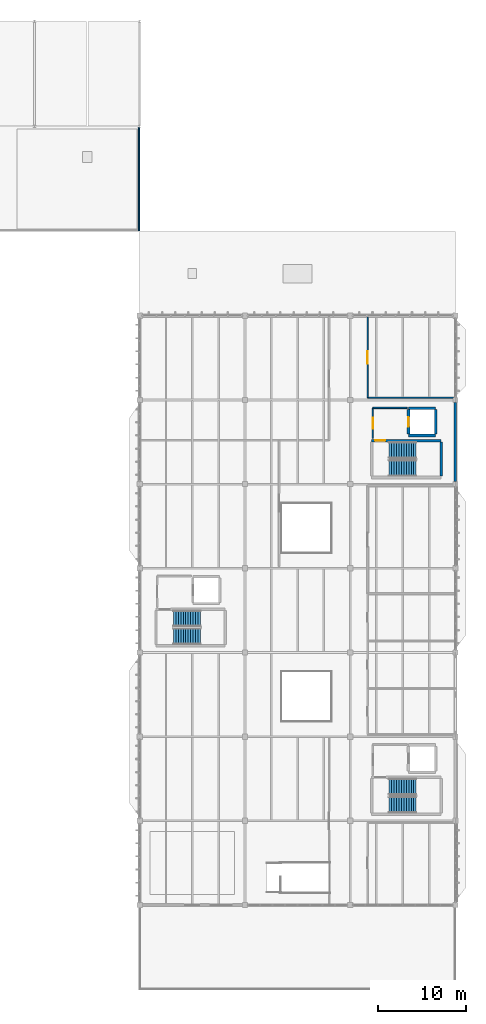
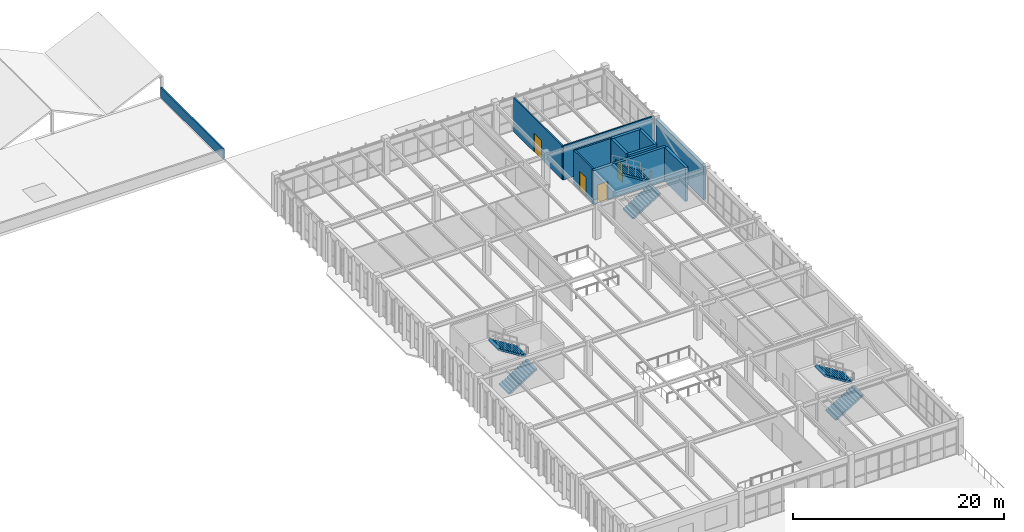
# One storey, part 75 of 83: 12 walls, 6 stair flights, 4 doors, 4 openings, 3 elements without a shape of their own.
"""IFC4 building model written with IfcOpenShell, lengths in metres."""

import ifcopenshell
import ifcopenshell.guid

model = None  # the IFC model being written
_history = None  # IfcOwnerHistory: only IFC2X3 demands one
_inside = {}  # id of a spatial element -> (the spatial element, [elements in it])
_under = {}  # id of a project, library or spatial element -> (it, [spatial elements below it])
_declared = {}  # id of a project -> (the project, [libraries it declares])
_typed = {}  # id of a type object -> (the type object, [elements of that type])
_made_of = {}  # id of a material, layer set ... -> (it, [elements and type objects made of it])


def new_model(schema):
    """Start an empty IFC model of exactly this schema.

    Asked for "IFC4X3", IfcOpenShell would pick the latest addendum, in which some entities
    have other attributes; the version numbers below select the first issue.
    IFC2X3 requires an IfcOwnerHistory on every rooted entity: one is made here for all.
    """
    global model, _history
    if schema == "IFC4X3":
        model = ifcopenshell.file(schema_version=(4, 3, 0, 0))
    else:
        model = ifcopenshell.file(schema=schema)
    _inside.clear()
    _under.clear()
    _declared.clear()
    _typed.clear()
    _made_of.clear()
    _history = None
    if model.schema == "IFC2X3":
        org = make("IfcOrganization", Name="unknown")
        user = make(
            "IfcPersonAndOrganization",
            ThePerson=make("IfcPerson", FamilyName="unknown"),
            TheOrganization=org,
        )
        app = make(
            "IfcApplication",
            ApplicationDeveloper=org,
            Version="unknown",
            ApplicationFullName="unknown",
            ApplicationIdentifier="unknown",
        )
        _history = make(
            "IfcOwnerHistory",
            OwningUser=user,
            OwningApplication=app,
            ChangeAction="ADDED",
            CreationDate=0,
        )
    return model


def make(cls, **values):
    """One entity of the class cls with the attributes given. An attribute that is None is left unset."""
    return model.create_entity(
        cls, **{name: value for name, value in values.items() if value is not None}
    )


def rooted(cls, **values):
    """An entity with a GlobalId (a new one), such as an element, a storey or a relation."""
    return make(cls, GlobalId=ifcopenshell.guid.new(), OwnerHistory=_history, **values)


def si_unit(unit_type, name, prefix=None):
    """IfcSIUnit, for example si_unit("LENGTHUNIT", "METRE", prefix="MILLI")."""
    return make("IfcSIUnit", UnitType=unit_type, Prefix=prefix, Name=name)


def assignment(units):
    """IfcUnitAssignment: the units of a project."""
    return None if units is None else make("IfcUnitAssignment", Units=units)


def point(xyz):
    """IfcCartesianPoint."""
    return None if xyz is None else make("IfcCartesianPoint", Coordinates=xyz)


def direction(xyz):
    """IfcDirection."""
    return None if xyz is None else make("IfcDirection", DirectionRatios=xyz)


def frame(location, z_axis=None, x_axis=None):
    """IfcAxis2Placement3D, a coordinate frame: its origin and axes. An axis left out is left unset."""
    return make(
        "IfcAxis2Placement3D",
        Location=point(location),
        Axis=direction(z_axis),
        RefDirection=direction(x_axis),
    )


def frame_2d(location, x_axis=None):
    """IfcAxis2Placement2D, a coordinate frame in the plane: its origin and x axis."""
    return make(
        "IfcAxis2Placement2D", Location=point(location), RefDirection=direction(x_axis)
    )


def origin():
    """The frame at (0, 0, 0) with its axes left unset."""
    return frame((0.0, 0.0, 0.0))


def place(relative_to, where):
    """IfcLocalPlacement: puts the frame where relative to a parent placement (None: the world)."""
    return make(
        "IfcLocalPlacement", PlacementRelTo=relative_to, RelativePlacement=where
    )


def context(
    kind, dimensions, precision=None, world=None, true_north=None, identifier=None
):
    """IfcGeometricRepresentationContext, for example the 3D "Model" context."""
    return make(
        "IfcGeometricRepresentationContext",
        ContextIdentifier=identifier,
        ContextType=kind,
        CoordinateSpaceDimension=dimensions,
        Precision=precision,
        WorldCoordinateSystem=world,
        TrueNorth=true_north,
    )


def subcontext(parent, identifier, kind, view, scale=None):
    """IfcGeometricRepresentationSubContext, for example "Body" below "Model"."""
    return make(
        "IfcGeometricRepresentationSubContext",
        ContextIdentifier=identifier,
        ContextType=kind,
        ParentContext=parent,
        TargetScale=scale,
        TargetView=view,
    )


def project(units=None, contexts=None):
    """IfcProject with its units and contexts."""
    return rooted(
        "IfcProject",
        Name="project",
        RepresentationContexts=contexts,
        UnitsInContext=assignment(units),
    )


def spatial(cls, under=None, at=None, **own):
    """A site, building, storey or space (cls), placed at a placement, below another one or the project."""
    s = rooted(cls, ObjectPlacement=at, **own)
    if under is not None:
        _under.setdefault(under.id(), (under, []))[1].append(s)
    return s


def polyline(points):
    """IfcPolyline through the points."""
    return make("IfcPolyline", Points=[point(p) for p in points])


def profile(cls, at=None, kind="AREA", **sizes):
    """A parametric profile (cls). Its sizes go by their IFC names, for example OverallWidth=200.0."""
    return make(cls, ProfileType=kind, Position=at, **sizes)


def rectangle(**sizes):
    """IfcRectangleProfileDef."""
    return profile("IfcRectangleProfileDef", **sizes)


def outline(outer, holes=None, kind="AREA"):
    """IfcArbitraryClosedProfileDef: a profile drawn as a closed curve; with holes, ...WithVoids."""
    if holes is None:
        return make("IfcArbitraryClosedProfileDef", ProfileType=kind, OuterCurve=outer)
    return make(
        "IfcArbitraryProfileDefWithVoids",
        ProfileType=kind,
        OuterCurve=outer,
        InnerCurves=holes,
    )


def extrude(swept, where, along, depth):
    """IfcExtrudedAreaSolid: the profile swept, set in the frame where, extruded along a direction by depth."""
    return make(
        "IfcExtrudedAreaSolid",
        SweptArea=swept,
        Position=where,
        ExtrudedDirection=direction(along),
        Depth=depth,
    )


def shape(context_of_items, identifier, shape_type, items):
    """IfcShapeRepresentation: the items that make up one representation, for example the "Body"."""
    return make(
        "IfcShapeRepresentation",
        ContextOfItems=context_of_items,
        RepresentationIdentifier=identifier,
        RepresentationType=shape_type,
        Items=items,
    )


def material(Name=None, Category=None):
    """IfcMaterial."""
    return make("IfcMaterial", Name=Name, Category=Category)


def layer(
    of_material, thickness, ventilated=None, Name=None, Category=None, Priority=None
):
    """IfcMaterialLayer: one layer of a wall or slab, of a material (None: an air gap)."""
    return make(
        "IfcMaterialLayer",
        Material=of_material,
        LayerThickness=thickness,
        IsVentilated=ventilated,
        Name=Name,
        Category=Category,
        Priority=Priority,
    )


def layer_set(layers, Name=None):
    """IfcMaterialLayerSet."""
    return make("IfcMaterialLayerSet", MaterialLayers=layers, LayerSetName=Name)


def made_of(thing, what):
    """Note that an element or type object is made of a material, layer set ...; save() writes the relation."""
    if what is not None:
        _made_of.setdefault(what.id(), (what, []))[1].append(thing)
    return thing


def type_object(cls, material=None, **own):
    """A type object (cls), such as IfcWallType, which elements share."""
    return made_of(rooted(cls, **own), material)


def element(
    cls,
    number,
    at=None,
    inside=None,
    cuts=None,
    type_object=None,
    material=None,
    context=None,
    identifier="Body",
    shape_type=None,
    held_by="IfcProductDefinitionShape",
    body=None,
    shapes=None,
    **own,
):
    """One element of the class cls, such as IfcWall. Its Tag is "e" and its number.

    at: its placement. inside: the storey or other place that contains it. cuts: it is an
    opening in that element (IfcRelVoidsElement). A single representation is given by context,
    identifier, shape_type and body (its items); several are given by shapes. held_by: the class
    of the entity that holds the representations. save() writes the other relations.
    """
    e = rooted(cls, Tag="e%d" % number, ObjectPlacement=at, **own)
    if body is not None:
        shapes = [shape(context, identifier, shape_type, body)]
    if shapes is not None:
        e.Representation = make(held_by, Representations=shapes)
    if inside is not None:
        _inside.setdefault(inside.id(), (inside, []))[1].append(e)
    if cuts is not None:
        rooted(
            "IfcRelVoidsElement", RelatingBuildingElement=cuts, RelatedOpeningElement=e
        )
    if type_object is not None:
        _typed.setdefault(type_object.id(), (type_object, []))[1].append(e)
    return made_of(e, material)


def fill(opening, filler):
    """IfcRelFillsElement: the door or window that sits in an opening."""
    return rooted(
        "IfcRelFillsElement",
        RelatingOpeningElement=opening,
        RelatedBuildingElement=filler,
    )


def aggregate(whole, parts):
    """IfcRelAggregates: a whole, such as a stair, and the parts it consists of."""
    return rooted("IfcRelAggregates", RelatingObject=whole, RelatedObjects=parts)


def save(model, path):
    """Write the relations noted so far, then the file.

    IfcRelAggregates (storeys below a building ...), IfcRelContainedInSpatialStructure (elements
    in a storey), IfcRelDefinesByType, IfcRelAssociatesMaterial and IfcRelDeclares: one each for
    every whole, place, type object, material and project.
    """
    for whole, parts in _under.values():
        aggregate(whole, parts)
    for where, things in _inside.values():
        rooted(
            "IfcRelContainedInSpatialStructure",
            RelatedElements=things,
            RelatingStructure=where,
        )
    for kind, things in _typed.values():
        rooted("IfcRelDefinesByType", RelatedObjects=things, RelatingType=kind)
    for what, things in _made_of.values():
        rooted("IfcRelAssociatesMaterial", RelatedObjects=things, RelatingMaterial=what)
    for by, libraries in _declared.values():
        rooted("IfcRelDeclares", RelatingContext=by, RelatedDefinitions=libraries)
    model.write(path)


model = new_model("IFC4")

# Units and contexts
model_context = context("Model", 3, precision=1e-05, world=origin(), true_north=direction((0.0, 1.0)))
body_context = subcontext(model_context, "Body", "Model", "MODEL_VIEW")
ifc_project = project(units=[si_unit("LENGTHUNIT", "METRE"), si_unit("AREAUNIT", "SQUARE_METRE"), si_unit("VOLUMEUNIT", "CUBIC_METRE"), si_unit("PLANEANGLEUNIT", "RADIAN"), si_unit("MASSUNIT", "GRAM", prefix="KILO")], contexts=[model_context])

# Site, building, storey
site_placement = place(None, origin())
site = spatial("IfcSite", under=ifc_project, at=site_placement, CompositionType="ELEMENT")
building_placement = place(site_placement, origin())
building = spatial("IfcBuilding", under=site, at=building_placement, Name="Pandanus Reach Market Hall", CompositionType="ELEMENT")
storey_placement = place(building_placement, frame((0.0, 0.0, 10.199951171875)))
storey = spatial("IfcBuildingStorey", under=building, at=storey_placement, Name="L02", CompositionType="ELEMENT", Elevation=10.199951171875)

# Wall, opening, door
ifc_material_1 = material(Name="Concrete N40 (40 MPa)", Category="concrete")
ifc_layer_1 = layer(ifc_material_1, 0.300048828125, Name="WL-CORE-300")
ifc_layer_set_1 = layer_set([ifc_layer_1], Name="Concrete N40 (40 MPa)")
wall_type_1 = type_object("IfcWallType", Name="WL-CORE-300", PredefinedType="SHEAR", material=ifc_layer_set_1)
wall_1_placement = place(storey_placement, frame((170.449951171875, 72.14990234375, 0.0), z_axis=(0.0, 0.0, 1.0), x_axis=(1.0, 0.0, 0.0)))
wall_1 = element("IfcWall", 1, at=wall_1_placement, inside=storey, type_object=wall_type_1, Name="Internal wall WL-CORE-300 WL-0241", PredefinedType="SHEAR", context=body_context, shape_type="SweptSolid", body=[
    extrude(rectangle(XDim=7.920166015625, YDim=0.300048828125, at=frame_2d((3.9599609375, 0.0))), origin(), (0.0, 0.0, 1.0), 3.93994140625),
])
opening_1_placement = place(wall_1_placement, frame((0.39990234375, 0.0, 0.0)))
opening_1 = element("IfcOpeningElement", 2, at=opening_1_placement, cuts=wall_1, Name="Opening DR-FD1", PredefinedType="OPENING", context=body_context, shape_type="SweptSolid", body=[
    extrude(rectangle(XDim=1.14990234375, YDim=2.14990234375, at=frame_2d((0.574951171875, 1.074951171875))), frame((0.0, 0.1650390625, 0.0), z_axis=(0.0, -1.0, 0.0), x_axis=(1.0, 0.0, 0.0)), (0.0, 0.0, 1.0), 0.330078125),
])
ifc_material_2 = material(Name="Fire-rated steel door", Category="steel")
door_type_1 = type_object("IfcDoorType", Name="DR-FD1", OperationType="NOTDEFINED", PredefinedType="DOOR", material=ifc_material_2)
door_1_placement = place(opening_1_placement, frame((1.14990234375, 0.0, 0.0), z_axis=(0.0, 0.0, 1.0), x_axis=(-1.0, 0.0, 0.0)))
door_1 = element("IfcDoor", 3, at=door_1_placement, inside=storey, type_object=door_type_1, Name="Fire stair door ST-02 L02", OperationType="SINGLE_SWING_LEFT", OverallHeight=2.14990234375, OverallWidth=1.14990234375, PredefinedType="DOOR", context=body_context, shape_type="SweptSolid", body=[
    extrude(rectangle(XDim=1.14990234375, YDim=2.14990234375, at=frame_2d((0.574951171875, 1.074951171875))), frame((0.0, 0.02490234375, 0.0), z_axis=(0.0, -1.0, 0.0), x_axis=(1.0, 0.0, 0.0)), (0.0, 0.0, 1.0), 0.050048828125),
])
fill(opening_1, door_1)

# Walls
wall_2_placement = place(storey_placement, frame((178.3701171875, 68.10009765625, 0.0), z_axis=(0.0, 0.0, 1.0), x_axis=(0.0, 1.0, 0.0)))
element("IfcWall", 4, at=wall_2_placement, inside=storey, type_object=wall_type_1, Name="Internal wall WL-CORE-300 WL-0243", PredefinedType="SHEAR", context=body_context, shape_type="SweptSolid", body=[
    extrude(rectangle(XDim=3.89990234375, YDim=0.300048828125, at=frame_2d((1.949951171875, 0.0))), origin(), (0.0, 0.0, 1.0), 3.93994140625),
])
for number, where, z_axis, x_axis, name in (
    (5, (174.64990234375, 72.75, 0.0), (0.0, 0.0, 1.0), (1.0, 0.0, 0.0), "Internal wall WL-CORE-300 WL-0244"),
    (6, (174.64990234375, 75.85009765625, 0.0), (0.0, 0.0, 1.0), (1.0, 0.0, 0.0), "Internal wall WL-CORE-300 WL-0245"),
):
    element("IfcWall", number, at=place(storey_placement, frame(where, z_axis=z_axis, x_axis=x_axis)), inside=storey, type_object=wall_type_1, Name=name, PredefinedType="SHEAR", context=body_context, shape_type="SweptSolid", body=[
        extrude(rectangle(XDim=3.10009765625, YDim=0.300048828125, at=frame_2d((1.550048828125, 0.0))), origin(), (0.0, 0.0, 1.0), 3.93994140625),
    ])
wall_3_placement = place(storey_placement, frame((177.75, 72.89990234375, 0.0), z_axis=(0.0, 0.0, 1.0), x_axis=(0.0, 1.0, 0.0)))
element("IfcWall", 7, at=wall_3_placement, inside=storey, type_object=wall_type_1, Name="Internal wall WL-CORE-300 WL-0246", PredefinedType="SHEAR", context=body_context, shape_type="SweptSolid", body=[
    extrude(rectangle(XDim=2.800048828125, YDim=0.300048828125, at=frame_2d((1.39990234375, 0.0))), origin(), (0.0, 0.0, 1.0), 3.93994140625),
])

# Wall, opening, door
wall_4_placement = place(storey_placement, frame((174.64990234375, 72.89990234375, 0.0), z_axis=(0.0, 0.0, 1.0), x_axis=(0.0, 1.0, 0.0)))
wall_4 = element("IfcWall", 8, at=wall_4_placement, inside=storey, type_object=wall_type_1, Name="Internal wall WL-CORE-300 WL-0247", PredefinedType="SHEAR", context=body_context, shape_type="SweptSolid", body=[
    extrude(rectangle(XDim=2.800048828125, YDim=0.300048828125, at=frame_2d((1.39990234375, 0.0))), origin(), (0.0, 0.0, 1.0), 3.93994140625),
])
opening_2_placement = place(wall_4_placement, frame((0.85009765625, 0.0, 0.0)))
opening_2 = element("IfcOpeningElement", 9, at=opening_2_placement, cuts=wall_4, Name="Opening LD-01", PredefinedType="OPENING", context=body_context, shape_type="SweptSolid", body=[
    extrude(rectangle(XDim=1.10009765625, YDim=2.14990234375, at=frame_2d((0.550048828125, 1.074951171875))), frame((0.0, 0.1650390625, 0.0), z_axis=(0.0, -1.0, 0.0), x_axis=(1.0, 0.0, 0.0)), (0.0, 0.0, 1.0), 0.330078125),
])
ifc_material_3 = material(Name="Stainless steel lift landing door", Category="steel")
door_type_2 = type_object("IfcDoorType", Name="LD-01", OperationType="SLIDING_TO_LEFT", PredefinedType="DOOR", material=ifc_material_3)
door_2_placement = place(opening_2_placement, origin())
door_2 = element("IfcDoor", 10, at=door_2_placement, inside=storey, type_object=door_type_2, Name="Lift landing door LF-02 LD-01 30", OperationType="SLIDING_TO_LEFT", OverallHeight=2.14990234375, OverallWidth=1.10009765625, PredefinedType="DOOR", context=body_context, shape_type="SweptSolid", body=[
    extrude(rectangle(XDim=1.10009765625, YDim=2.14990234375, at=frame_2d((0.550048828125, 1.074951171875))), frame((0.0, 0.02490234375, 0.0), z_axis=(0.0, -1.0, 0.0), x_axis=(1.0, 0.0, 0.0)), (0.0, 0.0, 1.0), 0.050048828125),
])
fill(opening_2, door_2)

# Wall
ifc_material_4 = material(Name="Precast concrete S50 (50 MPa)", Category="concrete")
ifc_layer_2 = layer(ifc_material_4, 0.280029296875, Name="WL-EXT-280")
ifc_layer_set_2 = layer_set([ifc_layer_2], Name="Precast concrete S50 (50 MPa)")
wall_type_2 = type_object("IfcWallType", Name="WL-EXT-280", PredefinedType="SOLIDWALL", material=ifc_layer_set_2)
wall_5_placement = place(storey_placement, frame((180.0, 67.5, 0.0), z_axis=(0.0, 0.0, 1.0), x_axis=(0.0, 1.0, 0.0)))
element("IfcWall", 11, at=wall_5_placement, inside=storey, type_object=wall_type_2, Name="External wall WL-EXT-280 WL-0103", PredefinedType="SOLIDWALL", context=body_context, shape_type="SweptSolid", body=[
    extrude(rectangle(XDim=9.0, YDim=0.280029296875, at=frame_2d((4.5, 0.0))), origin(), (0.0, 0.0, 1.0), 3.900146484375),
])

# Wall, opening, door
ifc_layer_3 = layer(ifc_material_1, 0.175048828125, Name="WL-LOB-175")
ifc_layer_set_3 = layer_set([ifc_layer_3], Name="Concrete N40 (40 MPa)")
wall_type_3 = type_object("IfcWallType", Name="WL-LOB-175", PredefinedType="PARTITIONING", material=ifc_layer_set_3)
wall_6_placement = place(storey_placement, frame((170.60009765625, 72.39990234375, 0.0), z_axis=(0.0, 0.0, 1.0), x_axis=(0.0, 1.0, 0.0)))
wall_6 = element("IfcWall", 12, at=wall_6_placement, inside=storey, type_object=wall_type_3, Name="Internal wall WL-LOB-175 WL-0248", PredefinedType="PARTITIONING", context=body_context, shape_type="SweptSolid", body=[
    extrude(rectangle(XDim=3.5, YDim=0.175048828125, at=frame_2d((1.75, 0.0))), origin(), (0.0, 0.0, 1.0), 3.93994140625),
])
opening_3_placement = place(wall_6_placement, frame((1.125, 0.0, 0.0)))
opening_3 = element("IfcOpeningElement", 13, at=opening_3_placement, cuts=wall_6, Name="Opening DR-FD2", PredefinedType="OPENING", context=body_context, shape_type="SweptSolid", body=[
    extrude(rectangle(XDim=1.25, YDim=2.199951171875, at=frame_2d((0.625, 1.10009765625))), frame((0.0, 0.1025390625, 0.0), z_axis=(0.0, -1.0, 0.0), x_axis=(1.0, 0.0, 0.0)), (0.0, 0.0, 1.0), 0.205078125),
])
door_type_3 = type_object("IfcDoorType", Name="DR-FD2", OperationType="NOTDEFINED", PredefinedType="DOOR", material=ifc_material_2)
door_3_placement = place(opening_3_placement, frame((1.25, 0.0, 0.0), z_axis=(0.0, 0.0, 1.0), x_axis=(-1.0, 0.0, 0.0)))
door_3 = element("IfcDoor", 14, at=door_3_placement, inside=storey, type_object=door_type_3, Name="Core C2 lobby fire door DR-FD2 31", OperationType="SINGLE_SWING_RIGHT", OverallHeight=2.199951171875, OverallWidth=1.25, PredefinedType="DOOR", context=body_context, shape_type="SweptSolid", body=[
    extrude(rectangle(XDim=1.25, YDim=2.199951171875, at=frame_2d((0.625, 1.10009765625))), frame((0.0, 0.02490234375, 0.0), z_axis=(0.0, -1.0, 0.0), x_axis=(1.0, 0.0, 0.0)), (0.0, 0.0, 1.0), 0.050048828125),
])
fill(opening_3, door_3)

# Walls
wall_7_placement = place(storey_placement, frame((170.60009765625, 75.89990234375, 0.0), z_axis=(0.0, 0.0, 1.0), x_axis=(1.0, 0.0, 0.0)))
element("IfcWall", 15, at=wall_7_placement, inside=storey, type_object=wall_type_3, Name="Internal wall WL-LOB-175 WL-0249", PredefinedType="PARTITIONING", context=body_context, shape_type="SweptSolid", body=[
    extrude(rectangle(XDim=3.89990234375, YDim=0.175048828125, at=frame_2d((1.949951171875, 0.0))), origin(), (0.0, 0.0, 1.0), 3.93994140625),
])
ifc_layer_4 = layer(ifc_material_4, 0.1650390625, Name="WL-PAR-165")
ifc_layer_set_4 = layer_set([ifc_layer_4], Name="Precast concrete S50 (50 MPa)")
wall_type_4 = type_object("IfcWallType", Name="WL-PAR-165", PredefinedType="PARAPET", material=ifc_layer_set_4)
wall_8_placement = place(storey_placement, frame((143.89990234375, 96.10009765625, 0.0), z_axis=(0.0, 0.0, 1.0), x_axis=(0.0, 1.0, 0.0)))
element("IfcWall", 16, at=wall_8_placement, inside=storey, type_object=wall_type_4, Name="Roof parapet WL-PAR-165 L02.7", PredefinedType="PARAPET", context=body_context, shape_type="SweptSolid", body=[
    extrude(rectangle(XDim=11.7998046875, YDim=0.1650390625, at=frame_2d((5.89990234375, 0.0))), origin(), (0.0, 0.0, 1.0), 1.150146484375),
])
ifc_material_5 = material(Name="Acoustic plasterboard on steel framing", Category="steel")
ifc_layer_5 = layer(ifc_material_5, 0.14990234375, Name="WL-PRT-150")
ifc_layer_set_5 = layer_set([ifc_layer_5], Name="Acoustic plasterboard on steel framing")
wall_type_5 = type_object("IfcWallType", Name="WL-PRT-150", PredefinedType="PARTITIONING", material=ifc_layer_set_5)
wall_9_placement = place(storey_placement, frame((170.0, 77.050048828125, 0.0), z_axis=(0.0, 0.0, 1.0), x_axis=(1.0, 0.0, 0.0)))
element("IfcWall", 17, at=wall_9_placement, inside=storey, type_object=wall_type_5, Name="Internal wall WL-PRT-150 WL-0550", PredefinedType="PARTITIONING", context=body_context, shape_type="SweptSolid", body=[
    extrude(rectangle(XDim=9.9599609375, YDim=0.14990234375, at=frame_2d((4.97998046875, 0.0))), origin(), (0.0, 0.0, 1.0), 3.93994140625),
])

# Wall, opening, door
wall_10_placement = place(storey_placement, frame((170.0, 77.050048828125, 0.0), z_axis=(0.0, 0.0, 1.0), x_axis=(0.0, 1.0, 0.0)))
wall_10 = element("IfcWall", 18, at=wall_10_placement, inside=storey, type_object=wall_type_5, Name="Internal wall WL-PRT-150 WL-0551", PredefinedType="PARTITIONING", context=body_context, shape_type="SweptSolid", body=[
    extrude(rectangle(XDim=9.199951171875, YDim=0.14990234375, at=frame_2d((4.60009765625, 0.0))), origin(), (0.0, 0.0, 1.0), 3.93994140625),
])
opening_4_placement = place(wall_10_placement, frame((3.875, 0.0, 0.0)))
opening_4 = element("IfcOpeningElement", 19, at=opening_4_placement, cuts=wall_10, Name="Opening DR-I14", PredefinedType="OPENING", context=body_context, shape_type="SweptSolid", body=[
    extrude(rectangle(XDim=1.449951171875, YDim=2.14990234375, at=frame_2d((0.72509765625, 1.074951171875))), frame((0.0, 0.08984375, 0.0), z_axis=(0.0, -1.0, 0.0), x_axis=(1.0, 0.0, 0.0)), (0.0, 0.0, 1.0), 0.179931640625),
])
ifc_material_6 = material(Name="Cold-store insulated leaf door")
door_type_4 = type_object("IfcDoorType", Name="DR-I14", OperationType="NOTDEFINED", PredefinedType="DOOR", material=ifc_material_6)
door_4_placement = place(opening_4_placement, origin())
door_4 = element("IfcDoor", 20, at=door_4_placement, inside=storey, type_object=door_type_4, Name="Culinary dry store door DR-I14 157", OperationType="SINGLE_SWING_RIGHT", OverallHeight=2.14990234375, OverallWidth=1.449951171875, PredefinedType="DOOR", context=body_context, shape_type="SweptSolid", body=[
    extrude(rectangle(XDim=1.449951171875, YDim=2.14990234375, at=frame_2d((0.72509765625, 1.074951171875))), frame((0.0, 0.02490234375, 0.0), z_axis=(0.0, -1.0, 0.0), x_axis=(1.0, 0.0, 0.0)), (0.0, 0.0, 1.0), 0.050048828125),
])
fill(opening_4, door_4)

# Stair, stair flights
stair_type = type_object("IfcStairType", Name="STR-04", PredefinedType="HALF_TURN_STAIR", material=ifc_material_1)
stair_1_placement = place(storey_placement, origin())
stair_1 = element("IfcStair", 21, at=stair_1_placement, inside=storey, type_object=stair_type, Name="Stair ST-01 L02", PredefinedType="HALF_TURN_STAIR")
stair_flight_type = type_object("IfcStairFlightType", Name="STF-04", PredefinedType="STRAIGHT", material=ifc_material_1)
stair_flight_1_placement = place(storey_placement, frame((172.449951171875, 30.625, 0.0), z_axis=(0.0, 0.0, 1.0), x_axis=(1.0, 0.0, 0.0)))
stair_flight_1 = element("IfcStairFlight", 22, at=stair_flight_1_placement, type_object=stair_flight_type, Name="STR-04 flight 1", NumberOfRisers=12, NumberOfTreads=11, PredefinedType="STRAIGHT", RiserHeight=0.175, TreadLength=0.28, context=body_context, shape_type="SweptSolid", body=[
    extrude(outline(polyline([(0.0, 0.0), (0.0, 0.175048828125), (0.280029296875, 0.175048828125), (0.280029296875, 0.35009765625), (0.56005859375, 0.35009765625), (0.56005859375, 0.52490234375), (0.840087890625, 0.52490234375), (0.840087890625, 0.699951171875), (1.1201171875, 0.699951171875), (1.1201171875, 0.875), (1.39990234375, 0.875), (1.39990234375, 1.050048828125), (1.679931640625, 1.050048828125), (1.679931640625, 1.22509765625), (1.9599609375, 1.22509765625), (1.9599609375, 1.39990234375), (2.239990234375, 1.39990234375), (2.239990234375, 1.574951171875), (2.52001953125, 1.574951171875), (2.52001953125, 1.75), (2.800048828125, 1.75), (2.800048828125, 1.925048828125), (3.080078125, 1.925048828125), (3.080078125, 2.10009765625), (3.080078125, 1.748291015625), (0.28271484375, 0.0), (0.0, 0.0)])), frame((0.0, 0.925048828125, 0.0), z_axis=(0.0, -1.0, 0.0), x_axis=(1.0, 0.0, 0.0)), (0.0, 0.0, 1.0), 1.85009765625),
])
stair_flight_2_placement = place(storey_placement, frame((175.530029296875, 32.675048828125, 2.10009765625), z_axis=(0.0, 0.0, 1.0), x_axis=(-1.0, 0.0, 0.0)))
stair_flight_2 = element("IfcStairFlight", 23, at=stair_flight_2_placement, type_object=stair_flight_type, Name="STR-04 flight 2", NumberOfRisers=12, NumberOfTreads=11, PredefinedType="STRAIGHT", RiserHeight=0.175, TreadLength=0.28, context=body_context, shape_type="SweptSolid", body=[
    extrude(outline(polyline([(0.0, 0.0), (0.0, 0.175048828125), (0.280029296875, 0.175048828125), (0.280029296875, 0.35009765625), (0.56005859375, 0.35009765625), (0.56005859375, 0.52490234375), (0.840087890625, 0.52490234375), (0.840087890625, 0.699951171875), (1.1201171875, 0.699951171875), (1.1201171875, 0.875), (1.39990234375, 0.875), (1.39990234375, 1.050048828125), (1.679931640625, 1.050048828125), (1.679931640625, 1.22509765625), (1.9599609375, 1.22509765625), (1.9599609375, 1.39990234375), (2.239990234375, 1.39990234375), (2.239990234375, 1.574951171875), (2.52001953125, 1.574951171875), (2.52001953125, 1.75), (2.800048828125, 1.75), (2.800048828125, 1.925048828125), (3.080078125, 1.925048828125), (3.080078125, 2.10009765625), (3.080078125, 1.748291015625), (0.28271484375, 0.0), (0.0, 0.0)])), frame((0.0, 0.925048828125, 0.0), z_axis=(0.0, -1.0, 0.0), x_axis=(1.0, 0.0, 0.0)), (0.0, 0.0, 1.0), 1.85009765625),
])
aggregate(stair_1, [stair_flight_1, stair_flight_2])

stair_2_placement = place(storey_placement, origin())
stair_2 = element("IfcStair", 24, at=stair_2_placement, inside=storey, type_object=stair_type, Name="Stair ST-02 L02", PredefinedType="HALF_TURN_STAIR")
stair_flight_3_placement = place(storey_placement, frame((172.449951171875, 69.02490234375, 0.0), z_axis=(0.0, 0.0, 1.0), x_axis=(1.0, 0.0, 0.0)))
stair_flight_3 = element("IfcStairFlight", 25, at=stair_flight_3_placement, type_object=stair_flight_type, Name="STR-04 flight 1", NumberOfRisers=12, NumberOfTreads=11, PredefinedType="STRAIGHT", RiserHeight=0.175, TreadLength=0.28, context=body_context, shape_type="SweptSolid", body=[
    extrude(outline(polyline([(0.0, 0.0), (0.0, 0.175048828125), (0.280029296875, 0.175048828125), (0.280029296875, 0.35009765625), (0.56005859375, 0.35009765625), (0.56005859375, 0.52490234375), (0.840087890625, 0.52490234375), (0.840087890625, 0.699951171875), (1.1201171875, 0.699951171875), (1.1201171875, 0.875), (1.39990234375, 0.875), (1.39990234375, 1.050048828125), (1.679931640625, 1.050048828125), (1.679931640625, 1.22509765625), (1.9599609375, 1.22509765625), (1.9599609375, 1.39990234375), (2.239990234375, 1.39990234375), (2.239990234375, 1.574951171875), (2.52001953125, 1.574951171875), (2.52001953125, 1.75), (2.800048828125, 1.75), (2.800048828125, 1.925048828125), (3.080078125, 1.925048828125), (3.080078125, 2.10009765625), (3.080078125, 1.748291015625), (0.28271484375, 0.0), (0.0, 0.0)])), frame((0.0, 0.925048828125, 0.0), z_axis=(0.0, -1.0, 0.0), x_axis=(1.0, 0.0, 0.0)), (0.0, 0.0, 1.0), 1.85009765625),
])
stair_flight_4_placement = place(storey_placement, frame((175.530029296875, 71.074951171875, 2.10009765625), z_axis=(0.0, 0.0, 1.0), x_axis=(-1.0, 0.0, 0.0)))
stair_flight_4 = element("IfcStairFlight", 26, at=stair_flight_4_placement, type_object=stair_flight_type, Name="STR-04 flight 2", NumberOfRisers=12, NumberOfTreads=11, PredefinedType="STRAIGHT", RiserHeight=0.175, TreadLength=0.28, context=body_context, shape_type="SweptSolid", body=[
    extrude(outline(polyline([(0.0, 0.0), (0.0, 0.175048828125), (0.280029296875, 0.175048828125), (0.280029296875, 0.35009765625), (0.56005859375, 0.35009765625), (0.56005859375, 0.52490234375), (0.840087890625, 0.52490234375), (0.840087890625, 0.699951171875), (1.1201171875, 0.699951171875), (1.1201171875, 0.875), (1.39990234375, 0.875), (1.39990234375, 1.050048828125), (1.679931640625, 1.050048828125), (1.679931640625, 1.22509765625), (1.9599609375, 1.22509765625), (1.9599609375, 1.39990234375), (2.239990234375, 1.39990234375), (2.239990234375, 1.574951171875), (2.52001953125, 1.574951171875), (2.52001953125, 1.75), (2.800048828125, 1.75), (2.800048828125, 1.925048828125), (3.080078125, 1.925048828125), (3.080078125, 2.10009765625), (3.080078125, 1.748291015625), (0.28271484375, 0.0), (0.0, 0.0)])), frame((0.0, 0.925048828125, 0.0), z_axis=(0.0, -1.0, 0.0), x_axis=(1.0, 0.0, 0.0)), (0.0, 0.0, 1.0), 1.85009765625),
])
aggregate(stair_2, [stair_flight_3, stair_flight_4])

stair_3_placement = place(storey_placement, origin())
stair_3 = element("IfcStair", 27, at=stair_3_placement, inside=storey, type_object=stair_type, Name="Stair ST-03 L02", PredefinedType="HALF_TURN_STAIR")
stair_flight_5_placement = place(storey_placement, frame((147.85009765625, 49.824951171875, 0.0), z_axis=(0.0, 0.0, 1.0), x_axis=(1.0, 0.0, 0.0)))
stair_flight_5 = element("IfcStairFlight", 28, at=stair_flight_5_placement, type_object=stair_flight_type, Name="STR-04 flight 1", NumberOfRisers=12, NumberOfTreads=11, PredefinedType="STRAIGHT", RiserHeight=0.175, TreadLength=0.28, context=body_context, shape_type="SweptSolid", body=[
    extrude(outline(polyline([(0.0, 0.0), (0.0, 0.175048828125), (0.280029296875, 0.175048828125), (0.280029296875, 0.35009765625), (0.56005859375, 0.35009765625), (0.56005859375, 0.52490234375), (0.840087890625, 0.52490234375), (0.840087890625, 0.699951171875), (1.1201171875, 0.699951171875), (1.1201171875, 0.875), (1.39990234375, 0.875), (1.39990234375, 1.050048828125), (1.679931640625, 1.050048828125), (1.679931640625, 1.22509765625), (1.9599609375, 1.22509765625), (1.9599609375, 1.39990234375), (2.239990234375, 1.39990234375), (2.239990234375, 1.574951171875), (2.52001953125, 1.574951171875), (2.52001953125, 1.75), (2.800048828125, 1.75), (2.800048828125, 1.925048828125), (3.080078125, 1.925048828125), (3.080078125, 2.10009765625), (3.080078125, 1.748291015625), (0.28271484375, 0.0), (0.0, 0.0)])), frame((0.0, 0.925048828125, 0.0), z_axis=(0.0, -1.0, 0.0), x_axis=(1.0, 0.0, 0.0)), (0.0, 0.0, 1.0), 1.85009765625),
])
stair_flight_6_placement = place(storey_placement, frame((150.929931640625, 51.875, 2.10009765625), z_axis=(0.0, 0.0, 1.0), x_axis=(-1.0, 0.0, 0.0)))
stair_flight_6 = element("IfcStairFlight", 29, at=stair_flight_6_placement, type_object=stair_flight_type, Name="STR-04 flight 2", NumberOfRisers=12, NumberOfTreads=11, PredefinedType="STRAIGHT", RiserHeight=0.175, TreadLength=0.28, context=body_context, shape_type="SweptSolid", body=[
    extrude(outline(polyline([(0.0, 0.0), (0.0, 0.175048828125), (0.280029296875, 0.175048828125), (0.280029296875, 0.35009765625), (0.56005859375, 0.35009765625), (0.56005859375, 0.52490234375), (0.840087890625, 0.52490234375), (0.840087890625, 0.699951171875), (1.1201171875, 0.699951171875), (1.1201171875, 0.875), (1.39990234375, 0.875), (1.39990234375, 1.050048828125), (1.679931640625, 1.050048828125), (1.679931640625, 1.22509765625), (1.9599609375, 1.22509765625), (1.9599609375, 1.39990234375), (2.239990234375, 1.39990234375), (2.239990234375, 1.574951171875), (2.52001953125, 1.574951171875), (2.52001953125, 1.75), (2.800048828125, 1.75), (2.800048828125, 1.925048828125), (3.080078125, 1.925048828125), (3.080078125, 2.10009765625), (3.080078125, 1.748291015625), (0.28271484375, 0.0), (0.0, 0.0)])), frame((0.0, 0.925048828125, 0.0), z_axis=(0.0, -1.0, 0.0), x_axis=(1.0, 0.0, 0.0)), (0.0, 0.0, 1.0), 1.85009765625),
])
aggregate(stair_3, [stair_flight_5, stair_flight_6])

save(model, "model.ifc")
